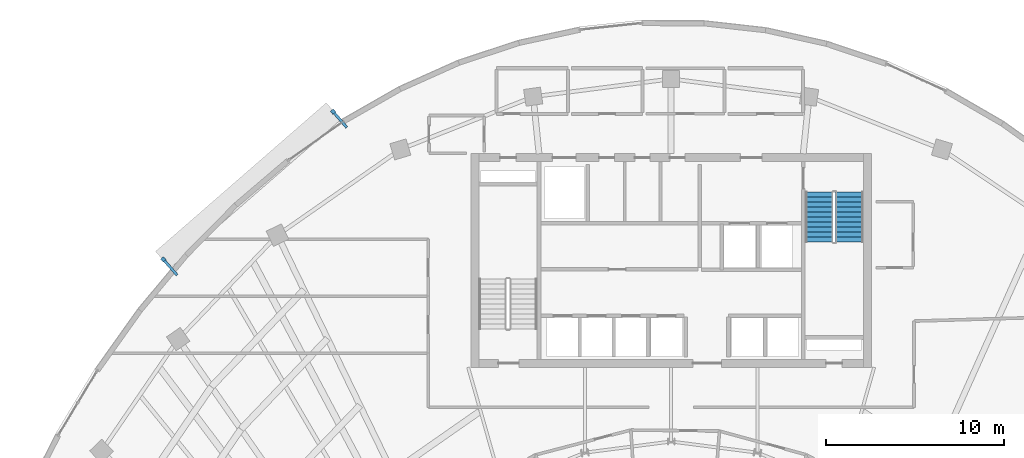
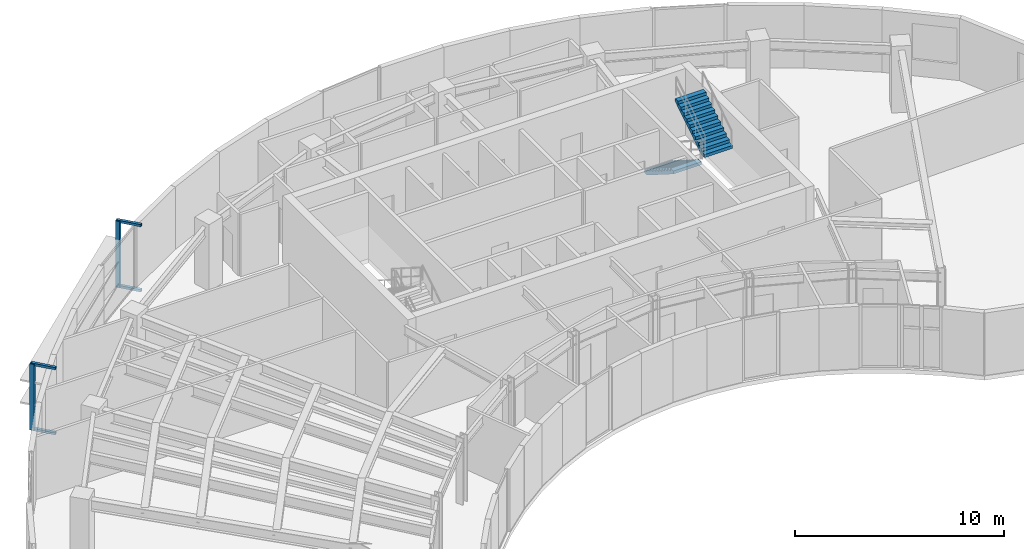
# One storey, part 11 of 12: 6 discrete accessories, 2 stair flights, 1 element without a shape of its own.
"""IFC4 building model written with IfcOpenShell, lengths in metres."""

from ifc_helpers import new_model, si_unit, direction, frame, origin, origin_2d, place, context, subcontext, project, spatial, polyline, rectangle, outline, extrude, source, transform, mapped, material, type_object, type_shapes, element, aggregate, save


model = new_model("IFC4")

# Units and contexts
model_context = context("Model", 3, precision=1e-05, world=origin(), true_north=direction((0.0, 1.0)))
body_context = subcontext(model_context, "Body", "Model", "MODEL_VIEW")
ifc_project = project(units=[si_unit("LENGTHUNIT", "METRE"), si_unit("AREAUNIT", "SQUARE_METRE"), si_unit("VOLUMEUNIT", "CUBIC_METRE"), si_unit("PLANEANGLEUNIT", "RADIAN"), si_unit("MASSUNIT", "GRAM", prefix="KILO")], contexts=[model_context])

# Site, building, storey
site_placement = place(None, origin())
site = spatial("IfcSite", under=ifc_project, at=site_placement, CompositionType="ELEMENT")
building_placement = place(site_placement, origin())
building = spatial("IfcBuilding", under=site, at=building_placement, Name="Breltana Convention Tower", CompositionType="ELEMENT")
storey_placement = place(building_placement, frame((0.0, 0.0, 239.10009765625)))
storey = spatial("IfcBuildingStorey", under=building, at=storey_placement, Name="L58", CompositionType="ELEMENT", Elevation=239.10009765625)

# Stair, stair flights
ifc_material_1 = material(Name="Concrete C40/50", Category="concrete")
stair_type = type_object("IfcStairType", Name="ST-DOG-1560-R177", PredefinedType="HALF_TURN_STAIR", material=ifc_material_1)
stair_placement = place(storey_placement, origin())
stair = element("IfcStair", 1, at=stair_placement, inside=storey, type_object=stair_type, Name="L58 Protected Core Exit Stair ST-2", PredefinedType="HALF_TURN_STAIR")
stair_flight_type = type_object("IfcStairFlightType", Name="STF-DOG-1560-N11-R177", PredefinedType="STRAIGHT", material=ifc_material_1)
stair_flight_1_placement = place(storey_placement, frame((56.31005859375, 70.0400390625, 0.0), z_axis=(0.0, 0.0, 1.0), x_axis=(0.0, -1.0, 0.0)))
stair_flight_1 = element("IfcStairFlight", 2, at=stair_flight_1_placement, type_object=stair_flight_type, Name="ST-2 flight 1", NumberOfRisers=11, NumberOfTreads=10, PredefinedType="STRAIGHT", RiserHeight=0.177272727, TreadLength=0.28, context=body_context, shape_type="SweptSolid", body=[
    extrude(outline(polyline([(0.0, 0.0), (0.0, 0.17724609375), (0.280029296875, 0.17724609375), (0.280029296875, 0.3544921875), (0.56005859375, 0.3544921875), (0.56005859375, 0.53173828125), (0.840087890625, 0.53173828125), (0.840087890625, 0.708984375), (1.1201171875, 0.708984375), (1.1201171875, 0.886474609375), (1.39990234375, 0.886474609375), (1.39990234375, 1.063720703125), (1.679931640625, 1.063720703125), (1.679931640625, 1.240966796875), (1.9599609375, 1.240966796875), (1.9599609375, 1.418212890625), (2.239990234375, 1.418212890625), (2.239990234375, 1.595458984375), (2.52001953125, 1.595458984375), (2.52001953125, 1.772705078125), (2.800048828125, 1.772705078125), (2.800048828125, 1.949951171875), (2.800048828125, 1.59521484375), (0.2802734375, 0.0), (0.0, 0.0)])), frame((0.0, 0.780029296875, 0.0), z_axis=(0.0, -1.0, 0.0), x_axis=(1.0, 0.0, 0.0)), (0.0, 0.0, 1.0), 1.56005859375),
])
stair_flight_2_placement = place(storey_placement, frame((58.02001953125, 67.239990234375, 1.949951171875), z_axis=(0.0, 0.0, 1.0), x_axis=(0.0, 1.0, 0.0)))
stair_flight_2 = element("IfcStairFlight", 3, at=stair_flight_2_placement, type_object=stair_flight_type, Name="ST-2 flight 2", NumberOfRisers=11, NumberOfTreads=10, PredefinedType="STRAIGHT", RiserHeight=0.177272727, TreadLength=0.28, context=body_context, shape_type="SweptSolid", body=[
    extrude(outline(polyline([(0.0, 0.0), (0.0, 0.17724609375), (0.280029296875, 0.17724609375), (0.280029296875, 0.3544921875), (0.56005859375, 0.3544921875), (0.56005859375, 0.53173828125), (0.840087890625, 0.53173828125), (0.840087890625, 0.708984375), (1.1201171875, 0.708984375), (1.1201171875, 0.886474609375), (1.39990234375, 0.886474609375), (1.39990234375, 1.063720703125), (1.679931640625, 1.063720703125), (1.679931640625, 1.240966796875), (1.9599609375, 1.240966796875), (1.9599609375, 1.418212890625), (2.239990234375, 1.418212890625), (2.239990234375, 1.595458984375), (2.52001953125, 1.595458984375), (2.52001953125, 1.772705078125), (2.800048828125, 1.772705078125), (2.800048828125, 1.949951171875), (2.800048828125, 1.59521484375), (0.2802734375, 0.0), (0.0, 0.0)])), frame((0.0, 0.780029296875, 0.0), z_axis=(0.0, -1.0, 0.0), x_axis=(1.0, 0.0, 0.0)), (0.0, 0.0, 1.0), 1.56005859375),
])
aggregate(stair, [stair_flight_1, stair_flight_2])

# Discrete accessories
ifc_material_2 = material(Name="Steel S355", Category="steel")
discrete_accessory_type_1 = type_object("IfcDiscreteAccessoryType", Name="ACC-DSF-BRACKET-150", PredefinedType="BRACKET", material=ifc_material_2)
shared_shape_1 = source(origin(), body_context, "Body", "SweptSolid", [
    extrude(rectangle(XDim=1.239990234375, YDim=0.14990234375, at=origin_2d()), origin(), (0.0, 0.0, 1.0), 0.139892578125),
])
type_shapes(discrete_accessory_type_1, [shared_shape_1])
for number, where, z_axis, x_axis, name in (
    (4, (19.84619140625, 65.84716796875, -0.16015625), (0.0, 0.0, 1.0), (-0.656450428512, 0.754369163544, 0.0), "L58 double-skin slab stand-off bracket 1.1B"),
    (5, (19.84619140625, 65.84716796875, 3.64990234375), (0.0, 0.0, 1.0), (-0.656450428512, 0.754369163544, 0.0), "L58 double-skin slab stand-off bracket 1.1T"),
    (6, (29.37841796875, 74.14208984375, -0.16015625), (0.0, 0.0, 1.0), (-0.656450428512, 0.754369163544, 0.0), "L58 double-skin slab stand-off bracket 1.2B"),
    (7, (29.37841796875, 74.14208984375, 3.64990234375), (0.0, 0.0, 1.0), (-0.656450428512, 0.754369163544, 0.0), "L58 double-skin slab stand-off bracket 1.2T"),
):
    element("IfcDiscreteAccessory", number, at=place(storey_placement, frame(where, z_axis=z_axis, x_axis=x_axis)), inside=storey, type_object=discrete_accessory_type_1, Name=name, PredefinedType="BRACKET", context=body_context, shape_type="MappedRepresentation", body=[
        mapped(shared_shape_1, transform((0.0, 0.0, 0.0), scale=1.0)),
    ])
discrete_accessory_type_2 = type_object("IfcDiscreteAccessoryType", Name="ACC-DSF-CARRIER-150", PredefinedType="BRACKET", material=ifc_material_2)
shared_shape_2 = source(origin(), body_context, "Body", "SweptSolid", [
    extrude(rectangle(XDim=0.219970703125, YDim=0.219970703125, at=origin_2d()), origin(), (0.0, 0.0, 1.0), 3.8701171875),
])
for number, where, z_axis, x_axis, name in (
    (8, (19.478515625, 66.26953125, -0.1201171875), (0.0, 0.0, 1.0), (-0.656450428512, 0.754369163544, 0.0), "L58 double-skin outer vertical carrier 1.1"),
    (9, (29.0107421875, 74.564453125, -0.1201171875), (0.0, 0.0, 1.0), (-0.656450428512, 0.754369163544, 0.0), "L58 double-skin outer vertical carrier 1.2"),
):
    element("IfcDiscreteAccessory", number, at=place(storey_placement, frame(where, z_axis=z_axis, x_axis=x_axis)), inside=storey, type_object=discrete_accessory_type_2, Name=name, PredefinedType="BRACKET", context=body_context, shape_type="MappedRepresentation", body=[
        mapped(shared_shape_2, transform((0.0, 0.0, 0.0), scale=1.0)),
    ])

save(model, "model.ifc")
